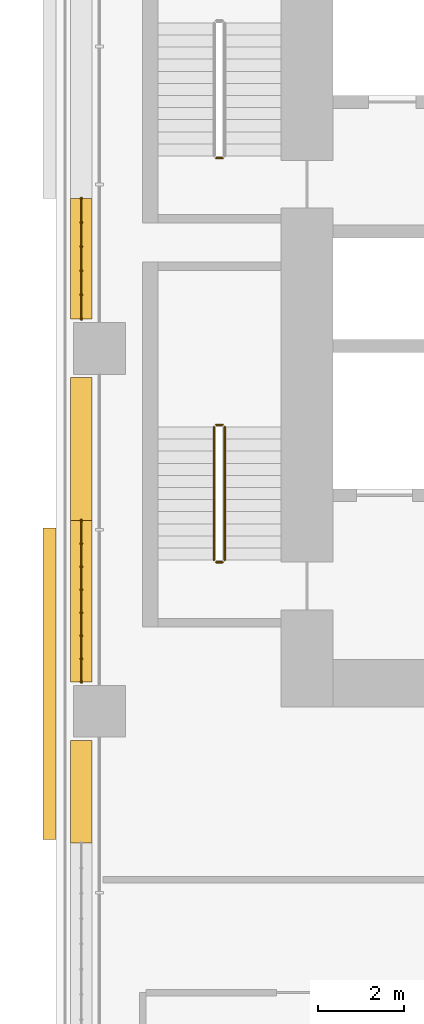
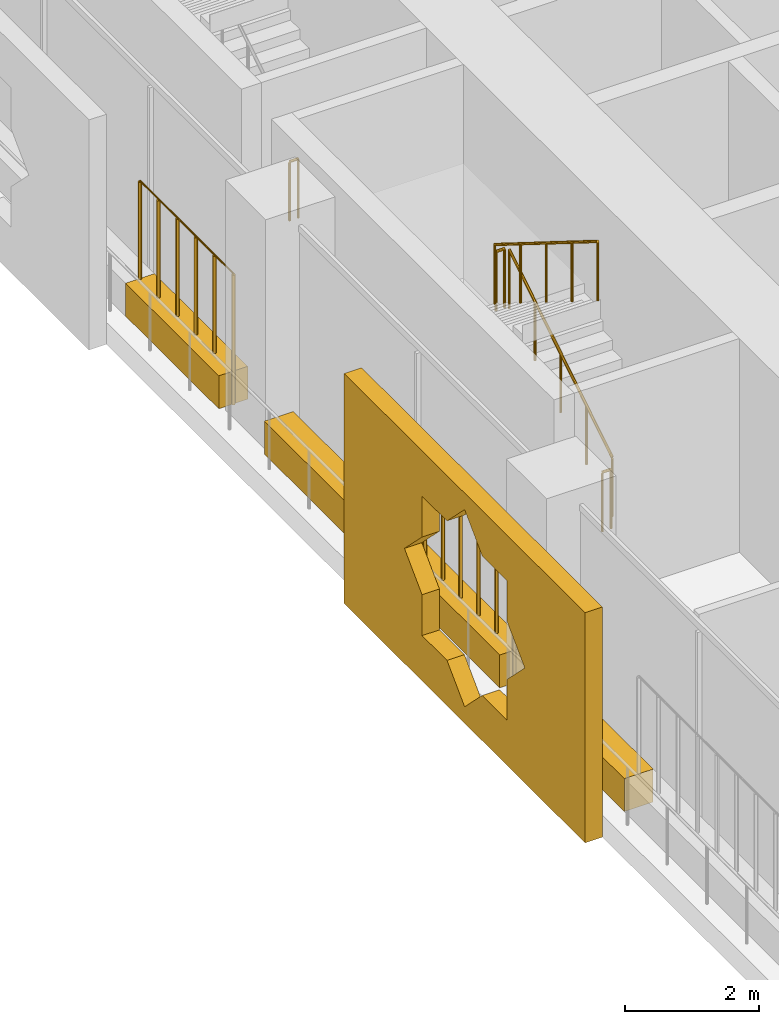
# One storey, part 23 of 28: 7 railings, 5 coverings.
"""IFC4 building model written with IfcOpenShell, lengths in metres."""

from ifc_helpers import new_model, si_unit, direction, frame, origin, origin_2d, place, context, subcontext, project, spatial, polyline, rectangle, circle, outline, extrude, material, material_profile, profile_set, type_object, element, save


model = new_model("IFC4")

# Units and contexts
model_context = context("Model", 3, precision=1e-05, world=origin(), true_north=direction((0.0, 1.0)))
body_context = subcontext(model_context, "Body", "Model", "MODEL_VIEW")
ifc_project = project(units=[si_unit("LENGTHUNIT", "METRE"), si_unit("AREAUNIT", "SQUARE_METRE"), si_unit("VOLUMEUNIT", "CUBIC_METRE"), si_unit("PLANEANGLEUNIT", "RADIAN"), si_unit("MASSUNIT", "GRAM", prefix="KILO")], contexts=[model_context])

# Site, building, storey
site_placement = place(None, origin())
site = spatial("IfcSite", under=ifc_project, at=site_placement, CompositionType="ELEMENT")
building_placement = place(site_placement, origin())
building = spatial("IfcBuilding", under=site, at=building_placement, Name="Kawkab Arch Medical Tower", CompositionType="ELEMENT")
storey_placement = place(building_placement, frame((0.0, 0.0, 72.800048828125)))
storey = spatial("IfcBuildingStorey", under=building, at=storey_placement, Name="L16", CompositionType="ELEMENT", Elevation=72.800048828125)

# Coverings
ifc_material_1 = material(Name="Bronze anodised aluminium mashrabiya panel, eight-point star pattern", Category="aluminium")
ifc_material_profile_1 = material_profile(ifc_material_1, outline(polyline([(-3.60009765625, -2.10009765625), (3.60009765625, -2.10009765625), (3.60009765625, 2.10009765625), (-3.60009765625, 2.10009765625), (-3.60009765625, -2.10009765625)]), holes=[polyline([(1.800048828125, 0.0), (1.272705078125, 0.527099609375), (1.272705078125, 1.272705078125), (0.527099609375, 1.272705078125), (0.0, 1.800048828125), (-0.527099609375, 1.272705078125), (-1.272705078125, 1.272705078125), (-1.272705078125, 0.527099609375), (-1.800048828125, 0.0), (-1.272705078125, -0.527099609375), (-1.272705078125, -1.272705078125), (-0.527099609375, -1.272705078125), (0.0, -1.800048828125), (0.527099609375, -1.272705078125), (1.272705078125, -1.272705078125), (1.272705078125, -0.527099609375), (1.800048828125, 0.0)])]), Name="Mashrabiya panel 7200x4200")
ifc_profile_set_1 = profile_set([ifc_material_profile_1], Name="Bronze anodised aluminium mashrabiya panel, eight-point star pattern")
covering_type_1 = type_object("IfcCoveringType", Name="Mashrabiya panel 7200 x 4200", PredefinedType="USERDEFINED", material=ifc_profile_set_1)
covering_1_placement = place(storey_placement, frame((-1.0, -24.561767578125, 1.699951171875), z_axis=(-1.0, 0.0, 0.0), x_axis=(0.0, -1.0, 0.0)))
element("IfcCovering", 1, at=covering_1_placement, inside=storey, type_object=covering_type_1, Name="Mashrabiya panel L16.LOG-01-01.4", ObjectType="SCREEN", PredefinedType="USERDEFINED", context=body_context, shape_type="SweptSolid", body=[
    extrude(outline(polyline([(-3.60009765625, -2.10009765625), (3.60009765625, -2.10009765625), (3.60009765625, 2.10009765625), (-3.60009765625, 2.10009765625), (-3.60009765625, -2.10009765625)]), holes=[polyline([(1.800048828125, 0.0), (1.272705078125, 0.527099609375), (1.272705078125, 1.272705078125), (0.527099609375, 1.272705078125), (0.0, 1.800048828125), (-0.527099609375, 1.272705078125), (-1.272705078125, 1.272705078125), (-1.272705078125, 0.527099609375), (-1.800048828125, 0.0), (-1.272705078125, -0.527099609375), (-1.272705078125, -1.272705078125), (-0.527099609375, -1.272705078125), (0.0, -1.800048828125), (0.527099609375, -1.272705078125), (1.272705078125, -1.272705078125), (1.272705078125, -0.527099609375), (1.800048828125, 0.0)])]), origin(), (0.0, 0.0, 1.0), 0.300048828125),
])
ifc_material_2 = material(Name="Planting soil in a precast trough", Category="concrete")
ifc_material_profile_2 = material_profile(ifc_material_2, rectangle(XDim=0.5, YDim=0.60009765625, at=origin_2d()), Name="Trough 500x600")
ifc_profile_set_2 = profile_set([ifc_material_profile_2], Name="Planting soil in a precast trough")
covering_type_2 = type_object("IfcCoveringType", Name="Planter trough 500 x 600", PredefinedType="USERDEFINED", material=ifc_profile_set_2)
covering_2_placement = place(storey_placement, frame((-0.419921875, -28.243896484375, 0.300048828125), z_axis=(0.0, 1.0, 0.0), x_axis=(-1.0, 0.0, 0.0)))
element("IfcCovering", 2, at=covering_2_placement, inside=storey, type_object=covering_type_2, Name="Planter L16.LOG-01-01.12", ObjectType="PLANTER", PredefinedType="USERDEFINED", context=body_context, shape_type="SweptSolid", body=[
    extrude(rectangle(XDim=0.5, YDim=0.60009765625, at=origin_2d()), origin(), (0.0, 0.0, 1.0), 2.364013671875),
])
covering_3_placement = place(storey_placement, frame((-0.419921875, -24.52001953125, 0.300048828125), z_axis=(0.0, 1.0, 0.0), x_axis=(-1.0, 0.0, 0.0)))
element("IfcCovering", 3, at=covering_3_placement, inside=storey, type_object=covering_type_2, Name="Planter L16.LOG-01-01.13", ObjectType="PLANTER", PredefinedType="USERDEFINED", context=body_context, shape_type="SweptSolid", body=[
    extrude(rectangle(XDim=0.5, YDim=0.60009765625, at=origin_2d()), origin(), (0.0, 0.0, 1.0), 3.73291015625),
])
covering_4_placement = place(storey_placement, frame((-0.419921875, -20.787109375, 0.300048828125), z_axis=(0.0, 1.0, 0.0), x_axis=(-1.0, 0.0, 0.0)))
element("IfcCovering", 4, at=covering_4_placement, inside=storey, type_object=covering_type_2, Name="Planter L16.LOG-01-01.14", ObjectType="PLANTER", PredefinedType="USERDEFINED", context=body_context, shape_type="SweptSolid", body=[
    extrude(rectangle(XDim=0.5, YDim=0.60009765625, at=origin_2d()), origin(), (0.0, 0.0, 1.0), 3.30712890625),
])
covering_5_placement = place(storey_placement, frame((-0.419921875, -16.1201171875, 0.300048828125), z_axis=(0.0, 1.0, 0.0), x_axis=(-1.0, 0.0, 0.0)))
element("IfcCovering", 5, at=covering_5_placement, inside=storey, type_object=covering_type_2, Name="Planter L16.LOG-01-01.15", ObjectType="PLANTER", PredefinedType="USERDEFINED", context=body_context, shape_type="SweptSolid", body=[
    extrude(rectangle(XDim=0.5, YDim=0.60009765625, at=origin_2d()), origin(), (0.0, 0.0, 1.0), 2.7890625),
])

# Railings
ifc_material_3 = material(Name="Bronze anodised aluminium trellis for climbing plants", Category="aluminium")
railing_type_1 = type_object("IfcRailingType", Name="Planting trellis 2400", PredefinedType="USERDEFINED", material=ifc_material_3)
railing_1_placement = place(storey_placement, frame((-0.419921875, -24.52001953125, 0.0)))
element("IfcRailing", 6, at=railing_1_placement, inside=storey, type_object=railing_type_1, Name="Planting trellis L16.LOG-01-01.13", ObjectType="TRELLIS", PredefinedType="USERDEFINED", context=body_context, shape_type="SweptSolid", body=[
    extrude(circle(Radius=0.01513671875, at=origin_2d()), frame((0.0, 0.0, 2.384765625), z_axis=(0.0, 1.0, 0.0), x_axis=(-1.0, 0.0, 0.0)), (0.0, 0.0, 1.0), 3.73291015625),
    extrude(circle(Radius=0.030029296875, at=origin_2d()), origin(), (0.0, 0.0, 1.0), 2.369873046875),
    extrude(circle(Radius=0.030029296875, at=origin_2d()), frame((0.0, 0.533203125, 0.0)), (0.0, 0.0, 1.0), 2.369873046875),
    extrude(circle(Radius=0.030029296875, at=origin_2d()), frame((0.0, 1.066650390625, 0.0)), (0.0, 0.0, 1.0), 2.369873046875),
    extrude(circle(Radius=0.030029296875, at=origin_2d()), frame((0.0, 1.599853515625, 0.0)), (0.0, 0.0, 1.0), 2.369873046875),
    extrude(circle(Radius=0.030029296875, at=origin_2d()), frame((0.0, 2.133056640625, 0.0)), (0.0, 0.0, 1.0), 2.369873046875),
    extrude(circle(Radius=0.030029296875, at=origin_2d()), frame((0.0, 2.666259765625, 0.0)), (0.0, 0.0, 1.0), 2.369873046875),
    extrude(circle(Radius=0.030029296875, at=origin_2d()), frame((0.0, 3.19970703125, 0.0)), (0.0, 0.0, 1.0), 2.369873046875),
    extrude(circle(Radius=0.030029296875, at=origin_2d()), frame((0.0, 3.73291015625, 0.0)), (0.0, 0.0, 1.0), 2.369873046875),
])
railing_2_placement = place(storey_placement, frame((-0.419921875, -16.1201171875, 0.0)))
element("IfcRailing", 7, at=railing_2_placement, inside=storey, type_object=railing_type_1, Name="Planting trellis L16.LOG-01-01.15", ObjectType="TRELLIS", PredefinedType="USERDEFINED", context=body_context, shape_type="SweptSolid", body=[
    extrude(circle(Radius=0.01513671875, at=origin_2d()), frame((0.0, 0.0, 2.384765625), z_axis=(0.0, 1.0, 0.0), x_axis=(-1.0, 0.0, 0.0)), (0.0, 0.0, 1.0), 2.7890625),
    extrude(circle(Radius=0.030029296875, at=origin_2d()), origin(), (0.0, 0.0, 1.0), 2.369873046875),
    extrude(circle(Radius=0.030029296875, at=origin_2d()), frame((0.0, 0.557861328125, 0.0)), (0.0, 0.0, 1.0), 2.369873046875),
    extrude(circle(Radius=0.030029296875, at=origin_2d()), frame((0.0, 1.11572265625, 0.0)), (0.0, 0.0, 1.0), 2.369873046875),
    extrude(circle(Radius=0.030029296875, at=origin_2d()), frame((0.0, 1.67333984375, 0.0)), (0.0, 0.0, 1.0), 2.369873046875),
    extrude(circle(Radius=0.030029296875, at=origin_2d()), frame((0.0, 2.231201171875, 0.0)), (0.0, 0.0, 1.0), 2.369873046875),
    extrude(circle(Radius=0.030029296875, at=origin_2d()), frame((0.0, 2.7890625, 0.0)), (0.0, 0.0, 1.0), 2.369873046875),
])
ifc_material_4 = material(Name="Stainless steel", Category="steel")
railing_type_2 = type_object("IfcRailingType", Name="Stair guard 1100", PredefinedType="GUARDRAIL", material=ifc_material_4)
railing_3_placement = place(storey_placement, frame((2.85009765625, -12.39990234375, 0.0)))
element("IfcRailing", 8, at=railing_3_placement, inside=storey, type_object=railing_type_2, Name="L16 ST1 stair guard 4", PredefinedType="GUARDRAIL", context=body_context, shape_type="SweptSolid", body=[
    extrude(circle(Radius=0.02392578125, at=origin_2d()), frame((0.0, 0.0, 1.076171875), z_axis=(-1.0, 0.0, 0.0), x_axis=(0.0, -1.0, 0.0)), (0.0, 0.0, 1.0), 0.150146484375),
    extrude(circle(Radius=0.02099609375, at=origin_2d()), origin(), (0.0, 0.0, 1.0), 1.052001953125),
    extrude(circle(Radius=0.02099609375, at=origin_2d()), frame((-0.150146484375, 0.0, 0.0)), (0.0, 0.0, 1.0), 1.052001953125),
])
railing_4_placement = place(storey_placement, frame((2.89990234375, -21.699951171875, 0.175048828125)))
element("IfcRailing", 9, at=railing_4_placement, inside=storey, type_object=railing_type_2, Name="L16 ST2 stair guard 1", PredefinedType="GUARDRAIL", context=body_context, shape_type="SweptSolid", body=[
    extrude(circle(Radius=0.02392578125, at=origin_2d()), frame((0.0, 0.0, 1.076171875), z_axis=(0.0, 0.848009633417, 0.529980812513), x_axis=(-1.0, 0.0, 0.0)), (0.0, 0.0, 1.0), 3.6318359375),
    extrude(circle(Radius=0.02099609375, at=origin_2d()), origin(), (0.0, 0.0, 1.0), 1.052001953125),
    extrude(circle(Radius=0.02099609375, at=origin_2d()), frame((0.0, 0.77001953125, 0.481201171875)), (0.0, 0.0, 1.0), 1.052001953125),
    extrude(circle(Radius=0.02099609375, at=origin_2d()), frame((0.0, 1.5400390625, 0.96240234375)), (0.0, 0.0, 1.0), 1.052001953125),
    extrude(circle(Radius=0.02099609375, at=origin_2d()), frame((0.0, 2.309814453125, 1.443603515625)), (0.0, 0.0, 1.0), 1.052001953125),
    extrude(circle(Radius=0.02099609375, at=origin_2d()), frame((0.0, 3.079833984375, 1.9248046875)), (0.0, 0.0, 1.0), 1.052001953125),
])
railing_5_placement = place(storey_placement, frame((2.85009765625, -18.570068359375, 2.099853515625)))
element("IfcRailing", 10, at=railing_5_placement, inside=storey, type_object=railing_type_2, Name="L16 ST2 stair guard 2", PredefinedType="GUARDRAIL", context=body_context, shape_type="SweptSolid", body=[
    extrude(circle(Radius=0.02392578125, at=origin_2d()), frame((0.0, 0.0, 1.076171875), z_axis=(-1.0, 0.0, 0.0), x_axis=(0.0, -1.0, 0.0)), (0.0, 0.0, 1.0), 0.150146484375),
    extrude(circle(Radius=0.02099609375, at=origin_2d()), origin(), (0.0, 0.0, 1.0), 1.052001953125),
    extrude(circle(Radius=0.02099609375, at=origin_2d()), frame((-0.150146484375, 0.0, 0.0)), (0.0, 0.0, 1.0), 1.052001953125),
])
railing_6_placement = place(storey_placement, frame((2.64990234375, -18.6201171875, 2.27490234375)))
element("IfcRailing", 11, at=railing_6_placement, inside=storey, type_object=railing_type_2, Name="L16 ST2 stair guard 3", PredefinedType="GUARDRAIL", context=body_context, shape_type="SweptSolid", body=[
    extrude(circle(Radius=0.02392578125, at=origin_2d()), frame((0.0, 0.0, 1.076171875), z_axis=(0.0, -0.847979421464, 0.530029150871), x_axis=(1.0, 0.0, 0.0)), (0.0, 0.0, 1.0), 3.632080078125),
    extrude(circle(Radius=0.02099609375, at=origin_2d()), origin(), (0.0, 0.0, 1.0), 1.052001953125),
    extrude(circle(Radius=0.02099609375, at=origin_2d()), frame((0.0, -0.77001953125, 0.481201171875)), (0.0, 0.0, 1.0), 1.052001953125),
    extrude(circle(Radius=0.02099609375, at=origin_2d()), frame((0.0, -1.5400390625, 0.96240234375)), (0.0, 0.0, 1.0), 1.052001953125),
    extrude(circle(Radius=0.02099609375, at=origin_2d()), frame((0.0, -2.309814453125, 1.44384765625)), (0.0, 0.0, 1.0), 1.052001953125),
    extrude(circle(Radius=0.02099609375, at=origin_2d()), frame((0.0, -3.079833984375, 1.925048828125)), (0.0, 0.0, 1.0), 1.052001953125),
])
railing_7_placement = place(storey_placement, frame((2.85009765625, -21.75, 0.0)))
element("IfcRailing", 12, at=railing_7_placement, inside=storey, type_object=railing_type_2, Name="L16 ST2 stair guard 4", PredefinedType="GUARDRAIL", context=body_context, shape_type="SweptSolid", body=[
    extrude(circle(Radius=0.02392578125, at=origin_2d()), frame((0.0, 0.0, 1.076171875), z_axis=(-1.0, 0.0, 0.0), x_axis=(0.0, -1.0, 0.0)), (0.0, 0.0, 1.0), 0.150146484375),
    extrude(circle(Radius=0.02099609375, at=origin_2d()), origin(), (0.0, 0.0, 1.0), 1.052001953125),
    extrude(circle(Radius=0.02099609375, at=origin_2d()), frame((-0.150146484375, 0.0, 0.0)), (0.0, 0.0, 1.0), 1.052001953125),
])

save(model, "model.ifc")
